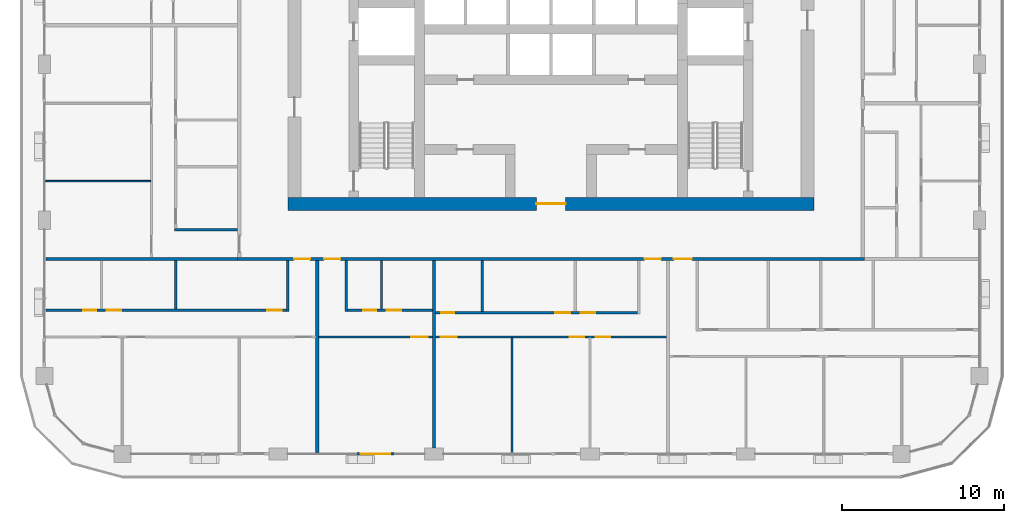
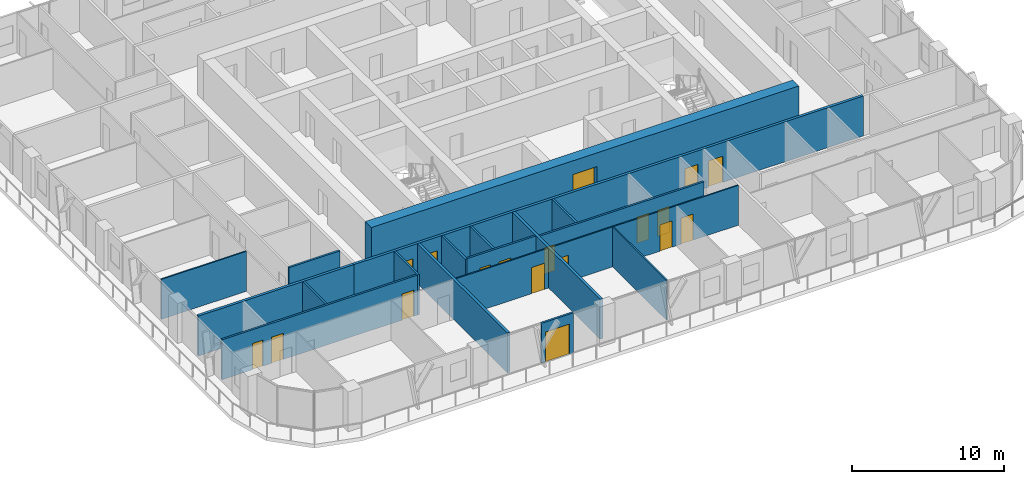
# One storey, part 9 of 22: 19 walls, 18 doors, 18 openings.
"""IFC4 building model written with IfcOpenShell, lengths in metres."""

from ifc_helpers import new_model, si_unit, direction, frame, frame_2d, origin, place, context, subcontext, project, spatial, rectangle, extrude, material, layer, layer_set, type_object, element, fill, save


model = new_model("IFC4")

# Units and contexts
model_context = context("Model", 3, precision=1e-05, world=origin(), true_north=direction((0.0, 1.0)))
body_context = subcontext(model_context, "Body", "Model", "MODEL_VIEW")
ifc_project = project(units=[si_unit("LENGTHUNIT", "METRE"), si_unit("AREAUNIT", "SQUARE_METRE"), si_unit("VOLUMEUNIT", "CUBIC_METRE"), si_unit("PLANEANGLEUNIT", "RADIAN"), si_unit("MASSUNIT", "GRAM", prefix="KILO")], contexts=[model_context])

# Site, building, storey
site_placement = place(None, origin())
site = spatial("IfcSite", under=ifc_project, at=site_placement, CompositionType="ELEMENT")
building_placement = place(site_placement, origin())
building = spatial("IfcBuilding", under=site, at=building_placement, Name="Madar Terraces", CompositionType="ELEMENT")
storey_placement = place(building_placement, frame((0.0, 0.0, 163.0)))
storey = spatial("IfcBuildingStorey", under=building, at=storey_placement, Name="L42", CompositionType="ELEMENT", Elevation=163.0)

# Wall, opening, door
ifc_material_1 = material(Name="Concrete C70/85", Category="concrete")
ifc_layer_1 = layer(ifc_material_1, 0.800048828125)
ifc_layer_set_1 = layer_set([ifc_layer_1], Name="Concrete C70/85 (CRW3 RC wall 800)")
wall_type_1 = type_object("IfcWallType", Name="CRW3 RC wall 800", PredefinedType="SHEAR", material=ifc_layer_set_1)
wall_1_placement = place(storey_placement, frame((15.0, 15.39990234375, 0.0), z_axis=(0.0, 0.0, 1.0), x_axis=(1.0, 0.0, 0.0)))
wall_1 = element("IfcWall", 1, at=wall_1_placement, inside=storey, type_object=wall_type_1, Name="CORE OUTER WALL", PredefinedType="SHEAR", context=body_context, shape_type="SweptSolid", body=[
    extrude(rectangle(XDim=32.39990234375, YDim=0.800048828125, at=frame_2d((16.199951171875, 0.0))), origin(), (0.0, 0.0, 1.0), 3.199951171875),
])
opening_1_placement = place(wall_1_placement, frame((15.300048828125, 0.0, 0.0)))
opening_1 = element("IfcOpeningElement", 2, at=opening_1_placement, cuts=wall_1, Name="Opening KD1", PredefinedType="OPENING", context=body_context, shape_type="SweptSolid", body=[
    extrude(rectangle(XDim=1.800048828125, YDim=2.10009765625, at=frame_2d((0.89990234375, 1.050048828125))), frame((0.0, 0.409912109375, 0.0), z_axis=(0.0, -1.0, 0.0), x_axis=(1.0, 0.0, 0.0)), (0.0, 0.0, 1.0), 0.820068359375),
])
ifc_material_2 = material(Name="Steel door leaf", Category="steel")
door_type_1 = type_object("IfcDoorType", Name="Lobby door pair 1800 x 2100", OperationType="DOUBLE_DOOR_SINGLE_SWING", PredefinedType="DOOR", material=ifc_material_2)
door_1_placement = place(opening_1_placement, frame((1.800048828125, 0.0, 0.0), z_axis=(0.0, 0.0, 1.0), x_axis=(-1.0, 0.0, 0.0)))
door_1 = element("IfcDoor", 3, at=door_1_placement, inside=storey, type_object=door_type_1, Name="LIFT LOBBY DOOR", OperationType="DOUBLE_DOOR_SINGLE_SWING", OverallHeight=2.10009765625, OverallWidth=1.800048828125, PredefinedType="DOOR", context=body_context, shape_type="SweptSolid", body=[
    extrude(rectangle(XDim=1.800048828125, YDim=2.10009765625, at=frame_2d((0.89990234375, 1.050048828125))), frame((0.0, 0.02490234375, 0.0), z_axis=(0.0, -1.0, 0.0), x_axis=(1.0, 0.0, 0.0)), (0.0, 0.0, 1.0), 0.050048828125),
])
fill(opening_1, door_1)

ifc_material_3 = material(Name="Aluminium composite panel, black, over insulated backing", Category="aluminium")
ifc_layer_2 = layer(ifc_material_3, 0.14990234375)
ifc_layer_set_2 = layer_set([ifc_layer_2], Name="Facade bay panel 150")
wall_type_2 = type_object("IfcWallType", Name="Facade bay panel 150", PredefinedType="SOLIDWALL", material=ifc_layer_set_2)
wall_2_placement = place(storey_placement, frame((19.199951171875, 0.0, 0.0), z_axis=(0.0, 0.0, 1.0), x_axis=(1.0, 0.0, 0.0)))
wall_2 = element("IfcWall", 4, at=wall_2_placement, inside=storey, type_object=wall_type_2, Name="Facade bay panel", PredefinedType="SOLIDWALL", context=body_context, shape_type="SweptSolid", body=[
    extrude(rectangle(XDim=2.400146484375, YDim=0.14990234375, at=frame_2d((1.2001953125, 0.0))), origin(), (0.0, 0.0, 1.0), 3.199951171875),
])
opening_2_placement = place(wall_2_placement, frame((0.300048828125, 0.0, 0.0)))
opening_2 = element("IfcOpeningElement", 5, at=opening_2_placement, cuts=wall_2, Name="Opening ED1", PredefinedType="OPENING", context=body_context, shape_type="SweptSolid", body=[
    extrude(rectangle(XDim=1.800048828125, YDim=2.39990234375, at=frame_2d((0.89990234375, 1.199951171875))), frame((0.0, 0.0849609375, 0.0), z_axis=(0.0, -1.0, 0.0), x_axis=(1.0, 0.0, 0.0)), (0.0, 0.0, 1.0), 0.169921875),
])
ifc_material_4 = material(Name="Glass, clear, with black aluminium frame", Category="aluminium")
door_type_2 = type_object("IfcDoorType", Name="Balcony and terrace sliding door 1800 x 2400", OperationType="SLIDING_TO_LEFT", PredefinedType="DOOR", material=ifc_material_4)
door_2_placement = place(opening_2_placement, origin())
door_2 = element("IfcDoor", 6, at=door_2_placement, inside=storey, type_object=door_type_2, Name="Balcony door", OperationType="SLIDING_TO_RIGHT", OverallHeight=2.39990234375, OverallWidth=1.800048828125, PredefinedType="DOOR", context=body_context, shape_type="SweptSolid", body=[
    extrude(rectangle(XDim=1.800048828125, YDim=2.39990234375, at=frame_2d((0.89990234375, 1.199951171875))), frame((0.0, 0.02490234375, 0.0), z_axis=(0.0, -1.0, 0.0), x_axis=(1.0, 0.0, 0.0)), (0.0, 0.0, 1.0), 0.050048828125),
])
fill(opening_2, door_2)

ifc_material_5 = material(Name="Gypsum board on steel studs", Category="steel")
ifc_layer_3 = layer(ifc_material_5, 0.10009765625)
ifc_layer_set_3 = layer_set([ifc_layer_3], Name="Flat partition 100")
wall_type_3 = type_object("IfcWallType", Name="Flat partition 100", PredefinedType="PARTITIONING", material=ifc_layer_set_3)
wall_3_placement = place(storey_placement, frame((23.89990234375, 7.199951171875, 0.0), z_axis=(0.0, 0.0, 1.0), x_axis=(-1.0, 0.0, 0.0)))
wall_3 = element("IfcWall", 7, at=wall_3_placement, inside=storey, type_object=wall_type_3, Name="Flat partition 100", PredefinedType="PARTITIONING", context=body_context, shape_type="SweptSolid", body=[
    extrude(rectangle(XDim=7.0, YDim=0.10009765625, at=frame_2d((3.5, 0.0))), origin(), (0.0, 0.0, 1.0), 3.199951171875),
])
opening_3_placement = place(wall_3_placement, frame((0.300048828125, 0.0, 0.0)))
opening_3 = element("IfcOpeningElement", 8, at=opening_3_placement, cuts=wall_3, Name="Opening D3", PredefinedType="OPENING", context=body_context, shape_type="SweptSolid", body=[
    extrude(rectangle(XDim=1.0, YDim=2.10009765625, at=frame_2d((0.5, 1.050048828125))), frame((0.0, 0.06005859375, 0.0), z_axis=(0.0, -1.0, 0.0), x_axis=(1.0, 0.0, 0.0)), (0.0, 0.0, 1.0), 0.1201171875),
])
ifc_material_6 = material(Name="Timber door leaf", Category="wood")
door_type_3 = type_object("IfcDoorType", Name="Flat living room door 1000", OperationType="NOTDEFINED", PredefinedType="DOOR", material=ifc_material_6)
door_3_placement = place(opening_3_placement, origin())
door_3 = element("IfcDoor", 9, at=door_3_placement, inside=storey, type_object=door_type_3, Name="Flat living room door 1000", OperationType="SINGLE_SWING_LEFT", OverallHeight=2.10009765625, OverallWidth=1.0, PredefinedType="DOOR", context=body_context, shape_type="SweptSolid", body=[
    extrude(rectangle(XDim=1.0, YDim=2.10009765625, at=frame_2d((0.5, 1.050048828125))), frame((0.0, 0.02490234375, 0.0), z_axis=(0.0, -1.0, 0.0), x_axis=(1.0, 0.0, 0.0)), (0.0, 0.0, 1.0), 0.050048828125),
])
fill(opening_3, door_3)

# Wall
wall_4_placement = place(storey_placement, frame((28.800048828125, 7.14990234375, 0.0), z_axis=(0.0, 0.0, 1.0), x_axis=(0.0, -1.0, 0.0)))
element("IfcWall", 10, at=wall_4_placement, inside=storey, type_object=wall_type_3, Name="Flat partition 100", PredefinedType="PARTITIONING", context=body_context, shape_type="SweptSolid", body=[
    extrude(rectangle(XDim=7.0498046875, YDim=0.10009765625, at=frame_2d((3.52490234375, 0.0))), origin(), (0.0, 0.0, 1.0), 3.199951171875),
])

# Wall, openings, doors
wall_5_placement = place(storey_placement, frame((38.300048828125, 7.199951171875, 0.0), z_axis=(0.0, 0.0, 1.0), x_axis=(-1.0, 0.0, 0.0)))
wall_5 = element("IfcWall", 11, at=wall_5_placement, inside=storey, type_object=wall_type_3, Name="Flat partition 100", PredefinedType="PARTITIONING", context=body_context, shape_type="SweptSolid", body=[
    extrude(rectangle(XDim=14.199951171875, YDim=0.10009765625, at=frame_2d((7.10009765625, 0.0))), origin(), (0.0, 0.0, 1.0), 3.199951171875),
])
opening_4_placement = place(wall_5_placement, frame((3.449951171875, 0.0, 0.0)))
opening_4 = element("IfcOpeningElement", 12, at=opening_4_placement, cuts=wall_5, Name="Opening D2", PredefinedType="OPENING", context=body_context, shape_type="SweptSolid", body=[
    extrude(rectangle(XDim=0.89990234375, YDim=2.10009765625, at=frame_2d((0.449951171875, 1.050048828125))), frame((0.0, 0.06005859375, 0.0), z_axis=(0.0, -1.0, 0.0), x_axis=(1.0, 0.0, 0.0)), (0.0, 0.0, 1.0), 0.1201171875),
])
opening_5_placement = place(wall_5_placement, frame((5.050048828125, 0.0, 0.0)))
opening_5 = element("IfcOpeningElement", 13, at=opening_5_placement, cuts=wall_5, Name="Opening D2", PredefinedType="OPENING", context=body_context, shape_type="SweptSolid", body=[
    extrude(rectangle(XDim=0.89990234375, YDim=2.10009765625, at=frame_2d((0.449951171875, 1.050048828125))), frame((0.0, 0.06005859375, 0.0), z_axis=(0.0, -1.0, 0.0), x_axis=(1.0, 0.0, 0.0)), (0.0, 0.0, 1.0), 0.1201171875),
])
opening_6_placement = place(wall_5_placement, frame((12.89990234375, 0.0, 0.0)))
opening_6 = element("IfcOpeningElement", 14, at=opening_6_placement, cuts=wall_5, Name="Opening D3", PredefinedType="OPENING", context=body_context, shape_type="SweptSolid", body=[
    extrude(rectangle(XDim=1.0, YDim=2.10009765625, at=frame_2d((0.5, 1.050048828125))), frame((0.0, 0.06005859375, 0.0), z_axis=(0.0, -1.0, 0.0), x_axis=(1.0, 0.0, 0.0)), (0.0, 0.0, 1.0), 0.1201171875),
])
door_4_placement = place(opening_6_placement, origin())
door_4 = element("IfcDoor", 15, at=door_4_placement, inside=storey, type_object=door_type_3, Name="Flat living room door 1000", OperationType="SINGLE_SWING_RIGHT", OverallHeight=2.10009765625, OverallWidth=1.0, PredefinedType="DOOR", context=body_context, shape_type="SweptSolid", body=[
    extrude(rectangle(XDim=1.0, YDim=2.10009765625, at=frame_2d((0.5, 1.050048828125))), frame((0.0, 0.02490234375, 0.0), z_axis=(0.0, -1.0, 0.0), x_axis=(1.0, 0.0, 0.0)), (0.0, 0.0, 1.0), 0.050048828125),
])
fill(opening_6, door_4)
ifc_material_7 = material(Name="Timber door leaf", Category="wood")
door_type_4 = type_object("IfcDoorType", Name="Flat room door 900", OperationType="NOTDEFINED", PredefinedType="DOOR", material=ifc_material_7)
door_5_placement = place(opening_4_placement, origin())
door_5 = element("IfcDoor", 16, at=door_5_placement, inside=storey, type_object=door_type_4, Name="Flat room door 900", OperationType="SINGLE_SWING_RIGHT", OverallHeight=2.10009765625, OverallWidth=0.89990234375, PredefinedType="DOOR", context=body_context, shape_type="SweptSolid", body=[
    extrude(rectangle(XDim=0.89990234375, YDim=2.10009765625, at=frame_2d((0.449951171875, 1.050048828125))), frame((0.0, 0.02490234375, 0.0), z_axis=(0.0, -1.0, 0.0), x_axis=(1.0, 0.0, 0.0)), (0.0, 0.0, 1.0), 0.050048828125),
])
fill(opening_4, door_5)
door_6_placement = place(opening_5_placement, origin())
door_6 = element("IfcDoor", 17, at=door_6_placement, inside=storey, type_object=door_type_4, Name="Flat room door 900", OperationType="SINGLE_SWING_LEFT", OverallHeight=2.10009765625, OverallWidth=0.89990234375, PredefinedType="DOOR", context=body_context, shape_type="SweptSolid", body=[
    extrude(rectangle(XDim=0.89990234375, YDim=2.10009765625, at=frame_2d((0.449951171875, 1.050048828125))), frame((0.0, 0.02490234375, 0.0), z_axis=(0.0, -1.0, 0.0), x_axis=(1.0, 0.0, 0.0)), (0.0, 0.0, 1.0), 0.050048828125),
])
fill(opening_5, door_6)

# Wall
wall_6_placement = place(storey_placement, frame((6.550048828125, 16.800048828125, 0.0), z_axis=(0.0, 0.0, 1.0), x_axis=(-1.0, 0.0, 0.0)))
element("IfcWall", 18, at=wall_6_placement, inside=storey, type_object=wall_type_3, Name="Flat partition 100", PredefinedType="PARTITIONING", context=body_context, shape_type="SweptSolid", body=[
    extrude(rectangle(XDim=6.449951171875, YDim=0.10009765625, at=frame_2d((3.22509765625, 0.0))), origin(), (0.0, 0.0, 1.0), 3.199951171875),
])

# Wall, openings, doors
ifc_material_8 = material(Name="Lightweight blockwork", Category="masonry")
ifc_layer_4 = layer(ifc_material_8, 0.199951171875)
ifc_layer_set_4 = layer_set([ifc_layer_4], Name="Flat party and entrance wall 200")
wall_type_4 = type_object("IfcWallType", Name="Flat party and entrance wall 200", PredefinedType="PARTITIONING", material=ifc_layer_set_4)
wall_7_placement = place(storey_placement, frame((50.5, 12.0, 0.0), z_axis=(0.0, 0.0, 1.0), x_axis=(-1.0, 0.0, 0.0)))
wall_7 = element("IfcWall", 19, at=wall_7_placement, inside=storey, type_object=wall_type_4, Name="Flat party and entrance wall 200", PredefinedType="PARTITIONING", context=body_context, shape_type="SweptSolid", body=[
    extrude(rectangle(XDim=38.60009765625, YDim=0.199951171875, at=frame_2d((19.300048828125, 0.0))), origin(), (0.0, 0.0, 1.0), 3.199951171875),
])
opening_7_placement = place(wall_7_placement, frame((34.125, 0.0, 0.0)))
opening_7 = element("IfcOpeningElement", 20, at=opening_7_placement, cuts=wall_7, Name="Opening D1", PredefinedType="OPENING", context=body_context, shape_type="SweptSolid", body=[
    extrude(rectangle(XDim=1.0, YDim=2.10009765625, at=frame_2d((0.5, 1.050048828125))), frame((0.0, 0.10986328125, 0.0), z_axis=(0.0, -1.0, 0.0), x_axis=(1.0, 0.0, 0.0)), (0.0, 0.0, 1.0), 0.219970703125),
])
opening_8_placement = place(wall_7_placement, frame((32.27490234375, 0.0, 0.0)))
opening_8 = element("IfcOpeningElement", 21, at=opening_8_placement, cuts=wall_7, Name="Opening D1", PredefinedType="OPENING", context=body_context, shape_type="SweptSolid", body=[
    extrude(rectangle(XDim=1.0, YDim=2.10009765625, at=frame_2d((0.5, 1.050048828125))), frame((0.0, 0.10986328125, 0.0), z_axis=(0.0, -1.0, 0.0), x_axis=(1.0, 0.0, 0.0)), (0.0, 0.0, 1.0), 0.219970703125),
])
opening_9_placement = place(wall_7_placement, frame((12.52490234375, 0.0, 0.0)))
opening_9 = element("IfcOpeningElement", 22, at=opening_9_placement, cuts=wall_7, Name="Opening D1", PredefinedType="OPENING", context=body_context, shape_type="SweptSolid", body=[
    extrude(rectangle(XDim=1.0, YDim=2.10009765625, at=frame_2d((0.5, 1.050048828125))), frame((0.0, 0.10986328125, 0.0), z_axis=(0.0, -1.0, 0.0), x_axis=(1.0, 0.0, 0.0)), (0.0, 0.0, 1.0), 0.219970703125),
])
opening_10_placement = place(wall_7_placement, frame((10.625, 0.0, 0.0)))
opening_10 = element("IfcOpeningElement", 23, at=opening_10_placement, cuts=wall_7, Name="Opening D6", PredefinedType="OPENING", context=body_context, shape_type="SweptSolid", body=[
    extrude(rectangle(XDim=1.10009765625, YDim=2.10009765625, at=frame_2d((0.550048828125, 1.050048828125))), frame((0.0, 0.10986328125, 0.0), z_axis=(0.0, -1.0, 0.0), x_axis=(1.0, 0.0, 0.0)), (0.0, 0.0, 1.0), 0.219970703125),
])
ifc_material_9 = material(Name="Timber fire door leaf", Category="wood")
door_type_5 = type_object("IfcDoorType", Name="Flat entrance door 1000 FD30S", OperationType="NOTDEFINED", PredefinedType="DOOR", material=ifc_material_9)
door_7_placement = place(opening_7_placement, origin())
door_7 = element("IfcDoor", 24, at=door_7_placement, inside=storey, type_object=door_type_5, Name="Flat entrance door 1000 FD30S", OperationType="SINGLE_SWING_LEFT", OverallHeight=2.10009765625, OverallWidth=1.0, PredefinedType="DOOR", context=body_context, shape_type="SweptSolid", body=[
    extrude(rectangle(XDim=1.0, YDim=2.10009765625, at=frame_2d((0.5, 1.050048828125))), frame((0.0, 0.02490234375, 0.0), z_axis=(0.0, -1.0, 0.0), x_axis=(1.0, 0.0, 0.0)), (0.0, 0.0, 1.0), 0.050048828125),
])
fill(opening_7, door_7)
door_8_placement = place(opening_8_placement, origin())
door_8 = element("IfcDoor", 25, at=door_8_placement, inside=storey, type_object=door_type_5, Name="Flat entrance door 1000 FD30S", OperationType="SINGLE_SWING_RIGHT", OverallHeight=2.10009765625, OverallWidth=1.0, PredefinedType="DOOR", context=body_context, shape_type="SweptSolid", body=[
    extrude(rectangle(XDim=1.0, YDim=2.10009765625, at=frame_2d((0.5, 1.050048828125))), frame((0.0, 0.02490234375, 0.0), z_axis=(0.0, -1.0, 0.0), x_axis=(1.0, 0.0, 0.0)), (0.0, 0.0, 1.0), 0.050048828125),
])
fill(opening_8, door_8)
door_9_placement = place(opening_9_placement, origin())
door_9 = element("IfcDoor", 26, at=door_9_placement, inside=storey, type_object=door_type_5, Name="Flat entrance door 1000 FD30S", OperationType="SINGLE_SWING_LEFT", OverallHeight=2.10009765625, OverallWidth=1.0, PredefinedType="DOOR", context=body_context, shape_type="SweptSolid", body=[
    extrude(rectangle(XDim=1.0, YDim=2.10009765625, at=frame_2d((0.5, 1.050048828125))), frame((0.0, 0.02490234375, 0.0), z_axis=(0.0, -1.0, 0.0), x_axis=(1.0, 0.0, 0.0)), (0.0, 0.0, 1.0), 0.050048828125),
])
fill(opening_9, door_9)
ifc_material_10 = material(Name="Timber fire door leaf", Category="wood")
door_type_6 = type_object("IfcDoorType", Name="Flat entrance door 1100 FD30S", OperationType="NOTDEFINED", PredefinedType="DOOR", material=ifc_material_10)
door_10_placement = place(opening_10_placement, origin())
door_10 = element("IfcDoor", 27, at=door_10_placement, inside=storey, type_object=door_type_6, Name="Flat entrance door 1100 FD30S", OperationType="SINGLE_SWING_RIGHT", OverallHeight=2.10009765625, OverallWidth=1.10009765625, PredefinedType="DOOR", context=body_context, shape_type="SweptSolid", body=[
    extrude(rectangle(XDim=1.10009765625, YDim=2.10009765625, at=frame_2d((0.550048828125, 1.050048828125))), frame((0.0, 0.02490234375, 0.0), z_axis=(0.0, -1.0, 0.0), x_axis=(1.0, 0.0, 0.0)), (0.0, 0.0, 1.0), 0.050048828125),
])
fill(opening_10, door_10)

# Walls
for number, where, z_axis, x_axis, name in (
    (28, (16.800048828125, 11.89990234375, 0.0), (0.0, 0.0, 1.0), (0.0, -1.0, 0.0), "Flat party and entrance wall 200"),
    (29, (0.10009765625, 12.0, 0.0), (0.0, 0.0, 1.0), (1.0, 0.0, 0.0), "Flat party and entrance wall 200"),
):
    element("IfcWall", number, at=place(storey_placement, frame(where, z_axis=z_axis, x_axis=x_axis)), inside=storey, type_object=wall_type_4, Name=name, PredefinedType="PARTITIONING", context=body_context, shape_type="SweptSolid", body=[
        extrude(rectangle(XDim=11.7998046875, YDim=0.199951171875, at=frame_2d((5.89990234375, 0.0))), origin(), (0.0, 0.0, 1.0), 3.199951171875),
    ])
wall_8_placement = place(storey_placement, frame((24.0, 11.89990234375, 0.0), z_axis=(0.0, 0.0, 1.0), x_axis=(0.0, -1.0, 0.0)))
element("IfcWall", 30, at=wall_8_placement, inside=storey, type_object=wall_type_4, Name="Flat party and entrance wall 200", PredefinedType="PARTITIONING", context=body_context, shape_type="SweptSolid", body=[
    extrude(rectangle(XDim=11.52490234375, YDim=0.199951171875, at=frame_2d((5.762451171875, 0.0))), origin(), (0.0, 0.0, 1.0), 3.199951171875),
])
ifc_material_11 = material(Name="Lightweight blockwork", Category="masonry")
ifc_layer_5 = layer(ifc_material_11, 0.14990234375)
ifc_layer_set_5 = layer_set([ifc_layer_5], Name="Flat wet-room partition 150")
wall_type_5 = type_object("IfcWallType", Name="Flat wet-room partition 150", PredefinedType="PARTITIONING", material=ifc_layer_set_5)
wall_9_placement = place(storey_placement, frame((8.082763671875, 11.89990234375, 0.0), z_axis=(0.0, 0.0, 1.0), x_axis=(0.0, -1.0, 0.0)))
element("IfcWall", 31, at=wall_9_placement, inside=storey, type_object=wall_type_5, Name="Flat wet-room partition 150", PredefinedType="PARTITIONING", context=body_context, shape_type="SweptSolid", body=[
    extrude(rectangle(XDim=2.974853515625, YDim=0.14990234375, at=frame_2d((1.4873046875, 0.0))), origin(), (0.0, 0.0, 1.0), 3.199951171875),
])
wall_10_placement = place(storey_placement, frame((15.0, 11.89990234375, 0.0), z_axis=(0.0, 0.0, 1.0), x_axis=(0.0, -1.0, 0.0)))
element("IfcWall", 32, at=wall_10_placement, inside=storey, type_object=wall_type_5, Name="Flat wet-room partition 150", PredefinedType="PARTITIONING", context=body_context, shape_type="SweptSolid", body=[
    extrude(rectangle(XDim=3.125, YDim=0.14990234375, at=frame_2d((1.5625, 0.0))), origin(), (0.0, 0.0, 1.0), 3.199951171875),
])

# Wall, openings, doors
wall_11_placement = place(storey_placement, frame((0.10009765625, 8.85009765625, 0.0), z_axis=(0.0, 0.0, 1.0), x_axis=(1.0, 0.0, 0.0)))
wall_11 = element("IfcWall", 33, at=wall_11_placement, inside=storey, type_object=wall_type_5, Name="Flat wet-room partition 150", PredefinedType="PARTITIONING", context=body_context, shape_type="SweptSolid", body=[
    extrude(rectangle(XDim=14.824951171875, YDim=0.14990234375, at=frame_2d((7.41259765625, 0.0))), origin(), (0.0, 0.0, 1.0), 3.199951171875),
])
opening_11_placement = place(wall_11_placement, frame((13.625, 0.0, 0.0)))
opening_11 = element("IfcOpeningElement", 34, at=opening_11_placement, cuts=wall_11, Name="Opening D2", PredefinedType="OPENING", context=body_context, shape_type="SweptSolid", body=[
    extrude(rectangle(XDim=0.89990234375, YDim=2.10009765625, at=frame_2d((0.449951171875, 1.050048828125))), frame((0.0, 0.0849609375, 0.0), z_axis=(0.0, -1.0, 0.0), x_axis=(1.0, 0.0, 0.0)), (0.0, 0.0, 1.0), 0.169921875),
])
opening_12_placement = place(wall_11_placement, frame((3.74609375, 0.0, 0.0)))
opening_12 = element("IfcOpeningElement", 35, at=opening_12_placement, cuts=wall_11, Name="Opening D5", PredefinedType="OPENING", context=body_context, shape_type="SweptSolid", body=[
    extrude(rectangle(XDim=0.89990234375, YDim=2.10009765625, at=frame_2d((0.449951171875, 1.050048828125))), frame((0.0, 0.0849609375, 0.0), z_axis=(0.0, -1.0, 0.0), x_axis=(1.0, 0.0, 0.0)), (0.0, 0.0, 1.0), 0.169921875),
])
opening_13_placement = place(wall_11_placement, frame((2.296142578125, 0.0, 0.0)))
opening_13 = element("IfcOpeningElement", 36, at=opening_13_placement, cuts=wall_11, Name="Opening D4", PredefinedType="OPENING", context=body_context, shape_type="SweptSolid", body=[
    extrude(rectangle(XDim=0.800048828125, YDim=2.10009765625, at=frame_2d((0.39990234375, 1.050048828125))), frame((0.0, 0.0849609375, 0.0), z_axis=(0.0, -1.0, 0.0), x_axis=(1.0, 0.0, 0.0)), (0.0, 0.0, 1.0), 0.169921875),
])
ifc_material_12 = material(Name="Timber door leaf", Category="wood")
door_type_7 = type_object("IfcDoorType", Name="Flat accessible bathroom door 900", OperationType="NOTDEFINED", PredefinedType="DOOR", material=ifc_material_12)
door_11_placement = place(opening_12_placement, origin())
door_11 = element("IfcDoor", 37, at=door_11_placement, inside=storey, type_object=door_type_7, Name="Flat accessible bathroom door 900", OperationType="SINGLE_SWING_LEFT", OverallHeight=2.10009765625, OverallWidth=0.89990234375, PredefinedType="DOOR", context=body_context, shape_type="SweptSolid", body=[
    extrude(rectangle(XDim=0.89990234375, YDim=2.10009765625, at=frame_2d((0.449951171875, 1.050048828125))), frame((0.0, 0.02490234375, 0.0), z_axis=(0.0, -1.0, 0.0), x_axis=(1.0, 0.0, 0.0)), (0.0, 0.0, 1.0), 0.050048828125),
])
fill(opening_12, door_11)
ifc_material_13 = material(Name="Timber door leaf", Category="wood")
door_type_8 = type_object("IfcDoorType", Name="Flat bathroom door 800", OperationType="NOTDEFINED", PredefinedType="DOOR", material=ifc_material_13)
door_12_placement = place(opening_13_placement, origin())
door_12 = element("IfcDoor", 38, at=door_12_placement, inside=storey, type_object=door_type_8, Name="Flat bathroom door 800", OperationType="SINGLE_SWING_RIGHT", OverallHeight=2.10009765625, OverallWidth=0.800048828125, PredefinedType="DOOR", context=body_context, shape_type="SweptSolid", body=[
    extrude(rectangle(XDim=0.800048828125, YDim=2.10009765625, at=frame_2d((0.39990234375, 1.050048828125))), frame((0.0, 0.02490234375, 0.0), z_axis=(0.0, -1.0, 0.0), x_axis=(1.0, 0.0, 0.0)), (0.0, 0.0, 1.0), 0.050048828125),
])
fill(opening_13, door_12)
door_13_placement = place(opening_11_placement, origin())
door_13 = element("IfcDoor", 39, at=door_13_placement, inside=storey, type_object=door_type_4, Name="Flat room door 900", OperationType="SINGLE_SWING_RIGHT", OverallHeight=2.10009765625, OverallWidth=0.89990234375, PredefinedType="DOOR", context=body_context, shape_type="SweptSolid", body=[
    extrude(rectangle(XDim=0.89990234375, YDim=2.10009765625, at=frame_2d((0.449951171875, 1.050048828125))), frame((0.0, 0.02490234375, 0.0), z_axis=(0.0, -1.0, 0.0), x_axis=(1.0, 0.0, 0.0)), (0.0, 0.0, 1.0), 0.050048828125),
])
fill(opening_11, door_13)

# Walls
wall_12_placement = place(storey_placement, frame((20.764892578125, 11.89990234375, 0.0), z_axis=(0.0, 0.0, 1.0), x_axis=(0.0, -1.0, 0.0)))
element("IfcWall", 40, at=wall_12_placement, inside=storey, type_object=wall_type_5, Name="Flat wet-room partition 150", PredefinedType="PARTITIONING", context=body_context, shape_type="SweptSolid", body=[
    extrude(rectangle(XDim=2.974853515625, YDim=0.14990234375, at=frame_2d((1.4873046875, 0.0))), origin(), (0.0, 0.0, 1.0), 3.199951171875),
])
wall_13_placement = place(storey_placement, frame((18.60009765625, 11.89990234375, 0.0), z_axis=(0.0, 0.0, 1.0), x_axis=(0.0, -1.0, 0.0)))
element("IfcWall", 41, at=wall_13_placement, inside=storey, type_object=wall_type_5, Name="Flat wet-room partition 150", PredefinedType="PARTITIONING", context=body_context, shape_type="SweptSolid", body=[
    extrude(rectangle(XDim=3.125, YDim=0.14990234375, at=frame_2d((1.5625, 0.0))), origin(), (0.0, 0.0, 1.0), 3.199951171875),
])

# Wall, openings, doors
wall_14_placement = place(storey_placement, frame((18.675048828125, 8.85009765625, 0.0), z_axis=(0.0, 0.0, 1.0), x_axis=(1.0, 0.0, 0.0)))
wall_14 = element("IfcWall", 42, at=wall_14_placement, inside=storey, type_object=wall_type_5, Name="Flat wet-room partition 150", PredefinedType="PARTITIONING", context=body_context, shape_type="SweptSolid", body=[
    extrude(rectangle(XDim=5.224853515625, YDim=0.14990234375, at=frame_2d((2.6123046875, 0.0))), origin(), (0.0, 0.0, 1.0), 3.199951171875),
])
opening_14_placement = place(wall_14_placement, frame((0.965087890625, 0.0, 0.0)))
opening_14 = element("IfcOpeningElement", 43, at=opening_14_placement, cuts=wall_14, Name="Opening D4", PredefinedType="OPENING", context=body_context, shape_type="SweptSolid", body=[
    extrude(rectangle(XDim=0.800048828125, YDim=2.10009765625, at=frame_2d((0.39990234375, 1.050048828125))), frame((0.0, 0.0849609375, 0.0), z_axis=(0.0, -1.0, 0.0), x_axis=(1.0, 0.0, 0.0)), (0.0, 0.0, 1.0), 0.169921875),
])
opening_15_placement = place(wall_14_placement, frame((2.4150390625, 0.0, 0.0)))
opening_15 = element("IfcOpeningElement", 44, at=opening_15_placement, cuts=wall_14, Name="Opening D2", PredefinedType="OPENING", context=body_context, shape_type="SweptSolid", body=[
    extrude(rectangle(XDim=0.89990234375, YDim=2.10009765625, at=frame_2d((0.449951171875, 1.050048828125))), frame((0.0, 0.0849609375, 0.0), z_axis=(0.0, -1.0, 0.0), x_axis=(1.0, 0.0, 0.0)), (0.0, 0.0, 1.0), 0.169921875),
])
door_14_placement = place(opening_14_placement, origin())
door_14 = element("IfcDoor", 45, at=door_14_placement, inside=storey, type_object=door_type_8, Name="Flat bathroom door 800", OperationType="SINGLE_SWING_RIGHT", OverallHeight=2.10009765625, OverallWidth=0.800048828125, PredefinedType="DOOR", context=body_context, shape_type="SweptSolid", body=[
    extrude(rectangle(XDim=0.800048828125, YDim=2.10009765625, at=frame_2d((0.39990234375, 1.050048828125))), frame((0.0, 0.02490234375, 0.0), z_axis=(0.0, -1.0, 0.0), x_axis=(1.0, 0.0, 0.0)), (0.0, 0.0, 1.0), 0.050048828125),
])
fill(opening_14, door_14)
door_15_placement = place(opening_15_placement, origin())
door_15 = element("IfcDoor", 46, at=door_15_placement, inside=storey, type_object=door_type_4, Name="Flat room door 900", OperationType="SINGLE_SWING_LEFT", OverallHeight=2.10009765625, OverallWidth=0.89990234375, PredefinedType="DOOR", context=body_context, shape_type="SweptSolid", body=[
    extrude(rectangle(XDim=0.89990234375, YDim=2.10009765625, at=frame_2d((0.449951171875, 1.050048828125))), frame((0.0, 0.02490234375, 0.0), z_axis=(0.0, -1.0, 0.0), x_axis=(1.0, 0.0, 0.0)), (0.0, 0.0, 1.0), 0.050048828125),
])
fill(opening_15, door_15)

# Wall
wall_15_placement = place(storey_placement, frame((26.96728515625, 11.89990234375, 0.0), z_axis=(0.0, 0.0, 1.0), x_axis=(0.0, -1.0, 0.0)))
element("IfcWall", 47, at=wall_15_placement, inside=storey, type_object=wall_type_5, Name="Flat wet-room partition 150", PredefinedType="PARTITIONING", context=body_context, shape_type="SweptSolid", body=[
    extrude(rectangle(XDim=3.125, YDim=0.14990234375, at=frame_2d((1.5625, 0.0))), origin(), (0.0, 0.0, 1.0), 3.199951171875),
])

# Wall, openings, doors
wall_16_placement = place(storey_placement, frame((24.10009765625, 8.699951171875, 0.0), z_axis=(0.0, 0.0, 1.0), x_axis=(1.0, 0.0, 0.0)))
wall_16 = element("IfcWall", 48, at=wall_16_placement, inside=storey, type_object=wall_type_5, Name="Flat wet-room partition 150", PredefinedType="PARTITIONING", context=body_context, shape_type="SweptSolid", body=[
    extrude(rectangle(XDim=12.4248046875, YDim=0.14990234375, at=frame_2d((6.21240234375, 0.0))), origin(), (0.0, 0.0, 1.0), 3.199951171875),
])
opening_16_placement = place(wall_16_placement, frame((8.927001953125, 0.0, 0.0)))
opening_16 = element("IfcOpeningElement", 49, at=opening_16_placement, cuts=wall_16, Name="Opening D5", PredefinedType="OPENING", context=body_context, shape_type="SweptSolid", body=[
    extrude(rectangle(XDim=0.89990234375, YDim=2.10009765625, at=frame_2d((0.449951171875, 1.050048828125))), frame((0.0, 0.0849609375, 0.0), z_axis=(0.0, -1.0, 0.0), x_axis=(1.0, 0.0, 0.0)), (0.0, 0.0, 1.0), 0.169921875),
])
opening_17_placement = place(wall_16_placement, frame((7.376953125, 0.0, 0.0)))
opening_17 = element("IfcOpeningElement", 50, at=opening_17_placement, cuts=wall_16, Name="Opening D2", PredefinedType="OPENING", context=body_context, shape_type="SweptSolid", body=[
    extrude(rectangle(XDim=0.89990234375, YDim=2.10009765625, at=frame_2d((0.449951171875, 1.050048828125))), frame((0.0, 0.0849609375, 0.0), z_axis=(0.0, -1.0, 0.0), x_axis=(1.0, 0.0, 0.0)), (0.0, 0.0, 1.0), 0.169921875),
])
opening_18_placement = place(wall_16_placement, frame((0.35009765625, 0.0, 0.0)))
opening_18 = element("IfcOpeningElement", 51, at=opening_18_placement, cuts=wall_16, Name="Opening D4", PredefinedType="OPENING", context=body_context, shape_type="SweptSolid", body=[
    extrude(rectangle(XDim=0.800048828125, YDim=2.10009765625, at=frame_2d((0.39990234375, 1.050048828125))), frame((0.0, 0.0849609375, 0.0), z_axis=(0.0, -1.0, 0.0), x_axis=(1.0, 0.0, 0.0)), (0.0, 0.0, 1.0), 0.169921875),
])
door_16_placement = place(opening_16_placement, origin())
door_16 = element("IfcDoor", 52, at=door_16_placement, inside=storey, type_object=door_type_7, Name="Flat accessible bathroom door 900", OperationType="SINGLE_SWING_LEFT", OverallHeight=2.10009765625, OverallWidth=0.89990234375, PredefinedType="DOOR", context=body_context, shape_type="SweptSolid", body=[
    extrude(rectangle(XDim=0.89990234375, YDim=2.10009765625, at=frame_2d((0.449951171875, 1.050048828125))), frame((0.0, 0.02490234375, 0.0), z_axis=(0.0, -1.0, 0.0), x_axis=(1.0, 0.0, 0.0)), (0.0, 0.0, 1.0), 0.050048828125),
])
fill(opening_16, door_16)
door_17_placement = place(opening_18_placement, origin())
door_17 = element("IfcDoor", 53, at=door_17_placement, inside=storey, type_object=door_type_8, Name="Flat bathroom door 800", OperationType="SINGLE_SWING_LEFT", OverallHeight=2.10009765625, OverallWidth=0.800048828125, PredefinedType="DOOR", context=body_context, shape_type="SweptSolid", body=[
    extrude(rectangle(XDim=0.800048828125, YDim=2.10009765625, at=frame_2d((0.39990234375, 1.050048828125))), frame((0.0, 0.02490234375, 0.0), z_axis=(0.0, -1.0, 0.0), x_axis=(1.0, 0.0, 0.0)), (0.0, 0.0, 1.0), 0.050048828125),
])
fill(opening_18, door_17)
door_18_placement = place(opening_17_placement, origin())
door_18 = element("IfcDoor", 54, at=door_18_placement, inside=storey, type_object=door_type_4, Name="Flat room door 900", OperationType="SINGLE_SWING_RIGHT", OverallHeight=2.10009765625, OverallWidth=0.89990234375, PredefinedType="DOOR", context=body_context, shape_type="SweptSolid", body=[
    extrude(rectangle(XDim=0.89990234375, YDim=2.10009765625, at=frame_2d((0.449951171875, 1.050048828125))), frame((0.0, 0.02490234375, 0.0), z_axis=(0.0, -1.0, 0.0), x_axis=(1.0, 0.0, 0.0)), (0.0, 0.0, 1.0), 0.050048828125),
])
fill(opening_17, door_18)

# Wall
wall_17_placement = place(storey_placement, frame((11.89990234375, 13.800048828125, 0.0), z_axis=(0.0, 0.0, 1.0), x_axis=(-1.0, 0.0, 0.0)))
element("IfcWall", 55, at=wall_17_placement, inside=storey, type_object=wall_type_5, Name="Flat wet-room partition 150", PredefinedType="PARTITIONING", context=body_context, shape_type="SweptSolid", body=[
    extrude(rectangle(XDim=3.875, YDim=0.14990234375, at=frame_2d((1.9375, 0.0))), origin(), (0.0, 0.0, 1.0), 3.199951171875),
])

save(model, "model.ifc")
